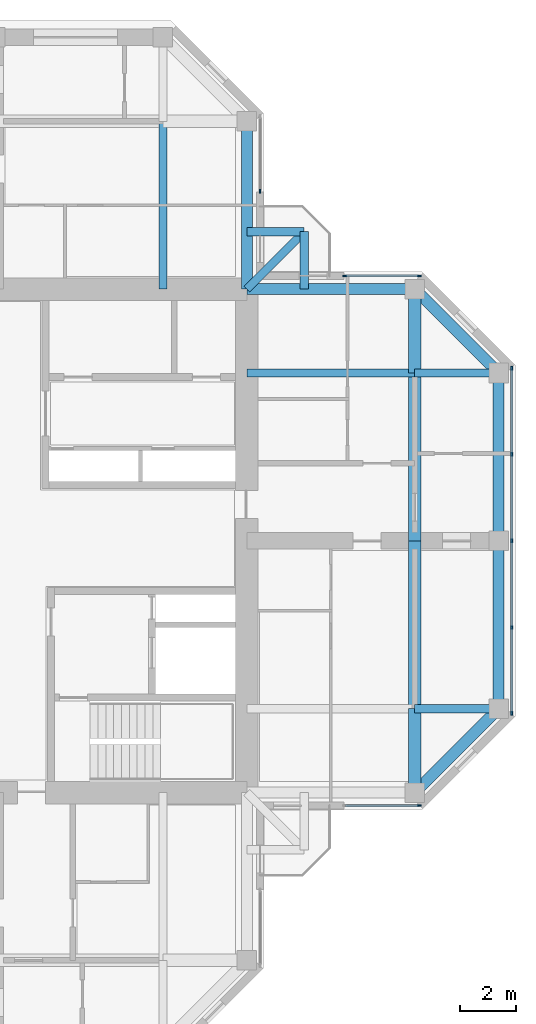
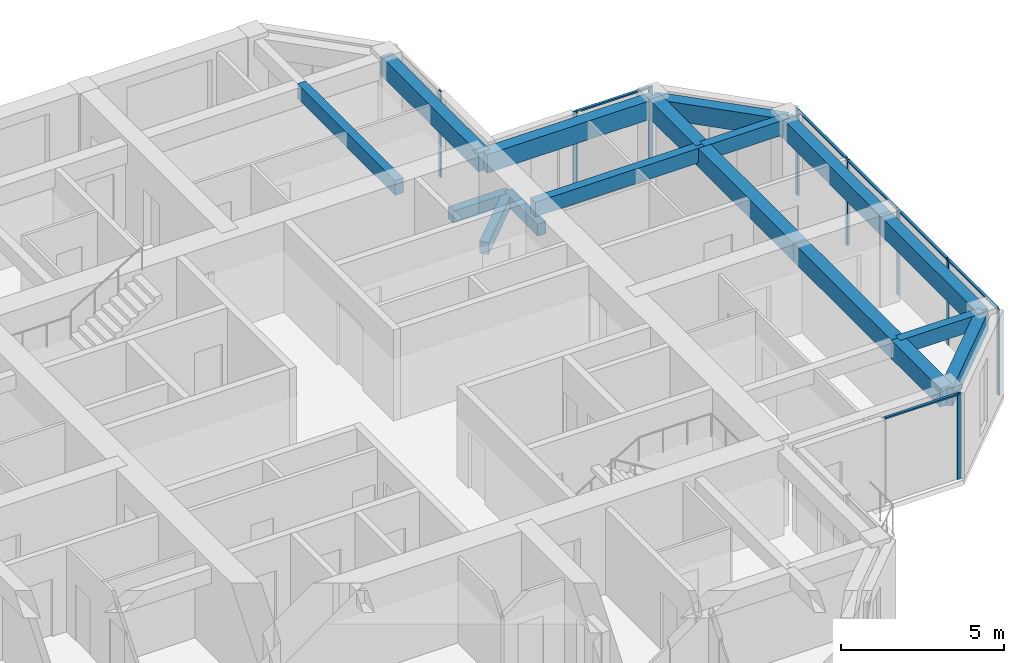
# One storey, part 5 of 13: 17 beams, 15 members, 4 elements without a shape of their own.
"""IFC4 building model written with IfcOpenShell, lengths in metres."""

import ifcopenshell
import ifcopenshell.guid

model = None  # the IFC model being written
_history = None  # IfcOwnerHistory: only IFC2X3 demands one
_inside = {}  # id of a spatial element -> (the spatial element, [elements in it])
_under = {}  # id of a project, library or spatial element -> (it, [spatial elements below it])
_declared = {}  # id of a project -> (the project, [libraries it declares])
_typed = {}  # id of a type object -> (the type object, [elements of that type])
_made_of = {}  # id of a material, layer set ... -> (it, [elements and type objects made of it])


def new_model(schema):
    """Start an empty IFC model of exactly this schema.

    Asked for "IFC4X3", IfcOpenShell would pick the latest addendum, in which some entities
    have other attributes; the version numbers below select the first issue.
    IFC2X3 requires an IfcOwnerHistory on every rooted entity: one is made here for all.
    """
    global model, _history
    if schema == "IFC4X3":
        model = ifcopenshell.file(schema_version=(4, 3, 0, 0))
    else:
        model = ifcopenshell.file(schema=schema)
    _inside.clear()
    _under.clear()
    _declared.clear()
    _typed.clear()
    _made_of.clear()
    _history = None
    if model.schema == "IFC2X3":
        org = make("IfcOrganization", Name="unknown")
        user = make(
            "IfcPersonAndOrganization",
            ThePerson=make("IfcPerson", FamilyName="unknown"),
            TheOrganization=org,
        )
        app = make(
            "IfcApplication",
            ApplicationDeveloper=org,
            Version="unknown",
            ApplicationFullName="unknown",
            ApplicationIdentifier="unknown",
        )
        _history = make(
            "IfcOwnerHistory",
            OwningUser=user,
            OwningApplication=app,
            ChangeAction="ADDED",
            CreationDate=0,
        )
    return model


def make(cls, **values):
    """One entity of the class cls with the attributes given. An attribute that is None is left unset."""
    return model.create_entity(
        cls, **{name: value for name, value in values.items() if value is not None}
    )


def rooted(cls, **values):
    """An entity with a GlobalId (a new one), such as an element, a storey or a relation."""
    return make(cls, GlobalId=ifcopenshell.guid.new(), OwnerHistory=_history, **values)


def si_unit(unit_type, name, prefix=None):
    """IfcSIUnit, for example si_unit("LENGTHUNIT", "METRE", prefix="MILLI")."""
    return make("IfcSIUnit", UnitType=unit_type, Prefix=prefix, Name=name)


def assignment(units):
    """IfcUnitAssignment: the units of a project."""
    return None if units is None else make("IfcUnitAssignment", Units=units)


def point(xyz):
    """IfcCartesianPoint."""
    return None if xyz is None else make("IfcCartesianPoint", Coordinates=xyz)


def direction(xyz):
    """IfcDirection."""
    return None if xyz is None else make("IfcDirection", DirectionRatios=xyz)


def frame(location, z_axis=None, x_axis=None):
    """IfcAxis2Placement3D, a coordinate frame: its origin and axes. An axis left out is left unset."""
    return make(
        "IfcAxis2Placement3D",
        Location=point(location),
        Axis=direction(z_axis),
        RefDirection=direction(x_axis),
    )


def frame_2d(location, x_axis=None):
    """IfcAxis2Placement2D, a coordinate frame in the plane: its origin and x axis."""
    return make(
        "IfcAxis2Placement2D", Location=point(location), RefDirection=direction(x_axis)
    )


def origin():
    """The frame at (0, 0, 0) with its axes left unset."""
    return frame((0.0, 0.0, 0.0))


def origin_2d():
    """The frame at (0, 0) in the plane with its x axis left unset."""
    return frame_2d((0.0, 0.0))


def place(relative_to, where):
    """IfcLocalPlacement: puts the frame where relative to a parent placement (None: the world)."""
    return make(
        "IfcLocalPlacement", PlacementRelTo=relative_to, RelativePlacement=where
    )


def context(
    kind, dimensions, precision=None, world=None, true_north=None, identifier=None
):
    """IfcGeometricRepresentationContext, for example the 3D "Model" context."""
    return make(
        "IfcGeometricRepresentationContext",
        ContextIdentifier=identifier,
        ContextType=kind,
        CoordinateSpaceDimension=dimensions,
        Precision=precision,
        WorldCoordinateSystem=world,
        TrueNorth=true_north,
    )


def subcontext(parent, identifier, kind, view, scale=None):
    """IfcGeometricRepresentationSubContext, for example "Body" below "Model"."""
    return make(
        "IfcGeometricRepresentationSubContext",
        ContextIdentifier=identifier,
        ContextType=kind,
        ParentContext=parent,
        TargetScale=scale,
        TargetView=view,
    )


def project(units=None, contexts=None):
    """IfcProject with its units and contexts."""
    return rooted(
        "IfcProject",
        Name="project",
        RepresentationContexts=contexts,
        UnitsInContext=assignment(units),
    )


def spatial(cls, under=None, at=None, **own):
    """A site, building, storey or space (cls), placed at a placement, below another one or the project."""
    s = rooted(cls, ObjectPlacement=at, **own)
    if under is not None:
        _under.setdefault(under.id(), (under, []))[1].append(s)
    return s


def profile(cls, at=None, kind="AREA", **sizes):
    """A parametric profile (cls). Its sizes go by their IFC names, for example OverallWidth=200.0."""
    return make(cls, ProfileType=kind, Position=at, **sizes)


def rectangle(**sizes):
    """IfcRectangleProfileDef."""
    return profile("IfcRectangleProfileDef", **sizes)


def extrude(swept, where, along, depth):
    """IfcExtrudedAreaSolid: the profile swept, set in the frame where, extruded along a direction by depth."""
    return make(
        "IfcExtrudedAreaSolid",
        SweptArea=swept,
        Position=where,
        ExtrudedDirection=direction(along),
        Depth=depth,
    )


def shape(context_of_items, identifier, shape_type, items):
    """IfcShapeRepresentation: the items that make up one representation, for example the "Body"."""
    return make(
        "IfcShapeRepresentation",
        ContextOfItems=context_of_items,
        RepresentationIdentifier=identifier,
        RepresentationType=shape_type,
        Items=items,
    )


def material(Name=None, Category=None):
    """IfcMaterial."""
    return make("IfcMaterial", Name=Name, Category=Category)


def material_profile(
    of_material, cross_section, Name=None, Category=None, Priority=None
):
    """IfcMaterialProfile: a cross section and its material."""
    return make(
        "IfcMaterialProfile",
        Name=Name,
        Material=of_material,
        Profile=cross_section,
        Priority=Priority,
        Category=Category,
    )


def profile_set(profiles, Name=None, composite=None):
    """IfcMaterialProfileSet."""
    return make(
        "IfcMaterialProfileSet",
        Name=Name,
        MaterialProfiles=profiles,
        CompositeProfile=composite,
    )


def made_of(thing, what):
    """Note that an element or type object is made of a material, layer set ...; save() writes the relation."""
    if what is not None:
        _made_of.setdefault(what.id(), (what, []))[1].append(thing)
    return thing


def type_object(cls, material=None, **own):
    """A type object (cls), such as IfcWallType, which elements share."""
    return made_of(rooted(cls, **own), material)


def element(
    cls,
    number,
    at=None,
    inside=None,
    cuts=None,
    type_object=None,
    material=None,
    context=None,
    identifier="Body",
    shape_type=None,
    held_by="IfcProductDefinitionShape",
    body=None,
    shapes=None,
    **own,
):
    """One element of the class cls, such as IfcWall. Its Tag is "e" and its number.

    at: its placement. inside: the storey or other place that contains it. cuts: it is an
    opening in that element (IfcRelVoidsElement). A single representation is given by context,
    identifier, shape_type and body (its items); several are given by shapes. held_by: the class
    of the entity that holds the representations. save() writes the other relations.
    """
    e = rooted(cls, Tag="e%d" % number, ObjectPlacement=at, **own)
    if body is not None:
        shapes = [shape(context, identifier, shape_type, body)]
    if shapes is not None:
        e.Representation = make(held_by, Representations=shapes)
    if inside is not None:
        _inside.setdefault(inside.id(), (inside, []))[1].append(e)
    if cuts is not None:
        rooted(
            "IfcRelVoidsElement", RelatingBuildingElement=cuts, RelatedOpeningElement=e
        )
    if type_object is not None:
        _typed.setdefault(type_object.id(), (type_object, []))[1].append(e)
    return made_of(e, material)


def aggregate(whole, parts):
    """IfcRelAggregates: a whole, such as a stair, and the parts it consists of."""
    return rooted("IfcRelAggregates", RelatingObject=whole, RelatedObjects=parts)


def save(model, path):
    """Write the relations noted so far, then the file.

    IfcRelAggregates (storeys below a building ...), IfcRelContainedInSpatialStructure (elements
    in a storey), IfcRelDefinesByType, IfcRelAssociatesMaterial and IfcRelDeclares: one each for
    every whole, place, type object, material and project.
    """
    for whole, parts in _under.values():
        aggregate(whole, parts)
    for where, things in _inside.values():
        rooted(
            "IfcRelContainedInSpatialStructure",
            RelatedElements=things,
            RelatingStructure=where,
        )
    for kind, things in _typed.values():
        rooted("IfcRelDefinesByType", RelatedObjects=things, RelatingType=kind)
    for what, things in _made_of.values():
        rooted("IfcRelAssociatesMaterial", RelatedObjects=things, RelatingMaterial=what)
    for by, libraries in _declared.values():
        rooted("IfcRelDeclares", RelatingContext=by, RelatedDefinitions=libraries)
    model.write(path)


model = new_model("IFC4")

# Units and contexts
model_context = context("Model", 3, precision=1e-05, world=origin(), true_north=direction((0.0, 1.0)))
body_context = subcontext(model_context, "Body", "Model", "MODEL_VIEW")
ifc_project = project(units=[si_unit("LENGTHUNIT", "METRE"), si_unit("AREAUNIT", "SQUARE_METRE"), si_unit("VOLUMEUNIT", "CUBIC_METRE"), si_unit("PLANEANGLEUNIT", "RADIAN"), si_unit("MASSUNIT", "GRAM", prefix="KILO")], contexts=[model_context])

# Site, building, storey
site_placement = place(None, origin())
site = spatial("IfcSite", under=ifc_project, at=site_placement, CompositionType="ELEMENT")
building_placement = place(site_placement, origin())
building = spatial("IfcBuilding", under=site, at=building_placement, Name="Torre Cruceta", CompositionType="ELEMENT")
storey_placement = place(building_placement, frame((0.0, 0.0, 281.5)))
storey = spatial("IfcBuildingStorey", under=building, at=storey_placement, Name="L73", CompositionType="ELEMENT", Elevation=281.5)

# Beams
ifc_material_1 = material(Name="Concrete G60 (fck 60 MPa)", Category="concrete")
ifc_material_profile_1 = material_profile(ifc_material_1, rectangle(XDim=0.300048828125, YDim=0.449951171875, at=origin_2d()), Name="RC 300X450")
ifc_profile_set_1 = profile_set([ifc_material_profile_1], Name="Concrete G60 (fck 60 MPa)")
beam_type_1 = type_object("IfcBeamType", Name="BALCONY CANTILEVER BEAM RC 300X450", PredefinedType="BEAM", material=ifc_profile_set_1)
beam_1_placement = place(storey_placement, frame((9.0, 9.0, -0.405029296875), z_axis=(0.707106781187, 0.707106781187, 0.0), x_axis=(-0.707106781187, 0.707106781187, 0.0)))
element("IfcBeam", 1, at=beam_1_placement, inside=storey, type_object=beam_type_1, Name="BB1 balcony beam L73 E", PredefinedType="BEAM", context=body_context, shape_type="SweptSolid", body=[
    extrude(rectangle(XDim=0.300048828125, YDim=0.449951171875, at=origin_2d()), origin(), (0.0, 0.0, 1.0), 2.89990234375),
])
for number, where, z_axis, x_axis, name in (
    (2, (11.050537109375, 9.0, -0.405029296875), (0.0, 1.0, 0.0), (-1.0, 0.0, 0.0), "BB1 balcony edge beam L73 E-X"),
    (3, (9.0, 11.050537109375, -0.405029296875), (1.0, 0.0, 0.0), (0.0, 1.0, 0.0), "BB1 balcony edge beam L73 E-Y"),
):
    element("IfcBeam", number, at=place(storey_placement, frame(where, z_axis=z_axis, x_axis=x_axis)), inside=storey, type_object=beam_type_1, Name=name, PredefinedType="BEAM", context=body_context, shape_type="SweptSolid", body=[
        extrude(rectangle(XDim=0.300048828125, YDim=0.449951171875, at=origin_2d()), origin(), (0.0, 0.0, 1.0), 2.050537109375),
    ])
ifc_material_2 = material(Name="Concrete G60 (fck 60 MPa)", Category="concrete")
ifc_material_profile_2 = material_profile(ifc_material_2, rectangle(XDim=0.300048828125, YDim=0.550048828125, at=origin_2d()), Name="RC 300X550")
ifc_profile_set_2 = profile_set([ifc_material_profile_2], Name="Concrete G60 (fck 60 MPa)")
beam_type_2 = type_object("IfcBeamType", Name="COLUMN LINE BEAM RC 300X550", PredefinedType="BEAM", material=ifc_profile_set_2)
beam_2_placement = place(storey_placement, frame((6.0, 9.0, 2.945068359375), z_axis=(0.0, 1.0, 0.0), x_axis=(-1.0, 0.0, 0.0)))
element("IfcBeam", 4, at=beam_2_placement, inside=storey, type_object=beam_type_2, Name="LB10 L73 N col- 1", PredefinedType="BEAM", context=body_context, shape_type="SweptSolid", body=[
    extrude(rectangle(XDim=0.300048828125, YDim=0.550048828125, at=origin_2d()), origin(), (0.0, 0.0, 1.0), 6.0),
])
beam_3_placement = place(storey_placement, frame((15.0, -6.0, 2.945068359375), z_axis=(1.0, 0.0, 0.0), x_axis=(0.0, 1.0, 0.0)))
element("IfcBeam", 5, at=beam_3_placement, inside=storey, type_object=beam_type_2, Name="LB10 L73 E col- 2", PredefinedType="BEAM", context=body_context, shape_type="SweptSolid", body=[
    extrude(rectangle(XDim=0.300048828125, YDim=0.550048828125, at=origin_2d()), origin(), (0.0, 0.0, 1.0), 3.0),
])
beam_4_placement = place(storey_placement, frame((9.0, 6.0, 2.945068359375), z_axis=(1.0, 0.0, 0.0), x_axis=(0.0, 1.0, 0.0)))
element("IfcBeam", 6, at=beam_4_placement, inside=storey, type_object=beam_type_2, Name="LB10 L73 E col+ 1", PredefinedType="BEAM", context=body_context, shape_type="SweptSolid", body=[
    extrude(rectangle(XDim=0.300048828125, YDim=0.550048828125, at=origin_2d()), origin(), (0.0, 0.0, 1.0), 6.0),
])
beam_5_placement = place(storey_placement, frame((15.0, 6.0, 2.945068359375), z_axis=(1.0, 0.0, 0.0), x_axis=(0.0, 1.0, 0.0)))
element("IfcBeam", 7, at=beam_5_placement, inside=storey, type_object=beam_type_2, Name="LB10 L73 E col+ 2", PredefinedType="BEAM", context=body_context, shape_type="SweptSolid", body=[
    extrude(rectangle(XDim=0.300048828125, YDim=0.550048828125, at=origin_2d()), origin(), (0.0, 0.0, 1.0), 3.0),
])
ifc_material_3 = material(Name="Concrete G60 (fck 60 MPa)", Category="concrete")
ifc_material_profile_3 = material_profile(ifc_material_3, rectangle(XDim=0.449951171875, YDim=0.699951171875, at=origin_2d()), Name="RC 450X700")
ifc_profile_set_3 = profile_set([ifc_material_profile_3], Name="Concrete G60 (fck 60 MPa)")
beam_type_3 = type_object("IfcBeamType", Name="CROSS BEAM RC 450X700", PredefinedType="BEAM", material=ifc_profile_set_3)
beam_6_placement = place(storey_placement, frame((15.0, -9.0, 2.8701171875), z_axis=(0.0, 1.0, 0.0), x_axis=(-1.0, 0.0, 0.0)))
element("IfcBeam", 8, at=beam_6_placement, inside=storey, type_object=beam_type_3, Name="GB8 L73 E cross15 1", PredefinedType="BEAM", context=body_context, shape_type="SweptSolid", body=[
    extrude(rectangle(XDim=0.449951171875, YDim=0.699951171875, at=origin_2d()), origin(), (0.0, 0.0, 1.0), 3.0),
])
for number, where, z_axis, x_axis, name in (
    (9, (15.0, -6.0, 2.8701171875), (0.0, 1.0, 0.0), (-1.0, 0.0, 0.0), "GB8 L73 E cross15 2"),
    (10, (15.0, 0.0, 2.8701171875), (0.0, 1.0, 0.0), (-1.0, 0.0, 0.0), "GB8 L73 E cross15 3"),
):
    element("IfcBeam", number, at=place(storey_placement, frame(where, z_axis=z_axis, x_axis=x_axis)), inside=storey, type_object=beam_type_3, Name=name, PredefinedType="BEAM", context=body_context, shape_type="SweptSolid", body=[
        extrude(rectangle(XDim=0.449951171875, YDim=0.699951171875, at=origin_2d()), origin(), (0.0, 0.0, 1.0), 6.0),
    ])
beam_7_placement = place(storey_placement, frame((15.0, 6.0, 2.8701171875), z_axis=(0.0, 1.0, 0.0), x_axis=(-1.0, 0.0, 0.0)))
element("IfcBeam", 11, at=beam_7_placement, inside=storey, type_object=beam_type_3, Name="GB8 L73 E cross15 4", PredefinedType="BEAM", context=body_context, shape_type="SweptSolid", body=[
    extrude(rectangle(XDim=0.449951171875, YDim=0.699951171875, at=origin_2d()), origin(), (0.0, 0.0, 1.0), 3.0),
])

# Curtain wall, member
ifc_material_4 = material(Name="Aluminium unitised curtain wall", Category="aluminium")
curtain_wall_type = type_object("IfcCurtainWallType", Name="CURTAIN WALL CW-E CO-LIVING TOP", PredefinedType="USERDEFINED", material=ifc_material_4)
curtain_wall_1_placement = place(storey_placement, origin())
curtain_wall_1 = element("IfcCurtainWall", 12, at=curtain_wall_1_placement, inside=storey, type_object=curtain_wall_type, Name="CW-E L73 E side 00", ObjectType="UNITISED", PredefinedType="USERDEFINED")
ifc_material_5 = material(Name="Aluminium mullion", Category="aluminium")
ifc_material_profile_4 = material_profile(ifc_material_5, rectangle(XDim=0.054931640625, YDim=0.139892578125, at=origin_2d()), Name="AL 55X140")
ifc_profile_set_4 = profile_set([ifc_material_profile_4], Name="Aluminium mullion")
member_type_1 = type_object("IfcMemberType", Name="CW-E MULLION 55X140", PredefinedType="MULLION", material=ifc_profile_set_4)
member_1_placement = place(storey_placement, frame((15.167236328125, -9.469970703125, 0.0), z_axis=(0.0, 0.0, 1.0), x_axis=(0.0, 1.0, 0.0)))
member_1 = element("IfcMember", 13, at=member_1_placement, type_object=member_type_1, Name="CW-E mullion 2", PredefinedType="MULLION", context=body_context, shape_type="SweptSolid", body=[
    extrude(rectangle(XDim=0.054931640625, YDim=0.139892578125, at=origin_2d()), origin(), (0.0, 0.0, 1.0), 3.219970703125),
])

# Curtain wall, members
curtain_wall_2_placement = place(storey_placement, origin())
curtain_wall_2 = element("IfcCurtainWall", 14, at=curtain_wall_2_placement, inside=storey, type_object=curtain_wall_type, Name="CW-E L73 E tip 02", ObjectType="UNITISED", PredefinedType="USERDEFINED")
member_2_placement = place(storey_placement, frame((18.469970703125, -6.167236328125, 0.0), z_axis=(0.0, 0.0, 1.0), x_axis=(-1.0, 0.0, 0.0)))
member_2 = element("IfcMember", 15, at=member_2_placement, type_object=member_type_1, Name="CW-E mullion 1", PredefinedType="MULLION", context=body_context, shape_type="SweptSolid", body=[
    extrude(rectangle(XDim=0.054931640625, YDim=0.139892578125, at=origin_2d()), origin(), (0.0, 0.0, 1.0), 3.219970703125),
])
member_3_placement = place(storey_placement, frame((18.469970703125, -3.097412109375, 0.0), z_axis=(0.0, 0.0, 1.0), x_axis=(-1.0, 0.0, 0.0)))
member_3 = element("IfcMember", 16, at=member_3_placement, type_object=member_type_1, Name="CW-E mullion 2", PredefinedType="MULLION", context=body_context, shape_type="SweptSolid", body=[
    extrude(rectangle(XDim=0.054931640625, YDim=0.139892578125, at=origin_2d()), origin(), (0.0, 0.0, 1.0), 3.219970703125),
])
member_4_placement = place(storey_placement, frame((18.469970703125, 0.0, 0.0), z_axis=(0.0, 0.0, 1.0), x_axis=(-1.0, 0.0, 0.0)))
member_4 = element("IfcMember", 17, at=member_4_placement, type_object=member_type_1, Name="CW-E mullion 3", PredefinedType="MULLION", context=body_context, shape_type="SweptSolid", body=[
    extrude(rectangle(XDim=0.054931640625, YDim=0.139892578125, at=origin_2d()), origin(), (0.0, 0.0, 1.0), 3.219970703125),
])
member_5_placement = place(storey_placement, frame((18.469970703125, 3.097412109375, 0.0), z_axis=(0.0, 0.0, 1.0), x_axis=(-1.0, 0.0, 0.0)))
member_5 = element("IfcMember", 18, at=member_5_placement, type_object=member_type_1, Name="CW-E mullion 4", PredefinedType="MULLION", context=body_context, shape_type="SweptSolid", body=[
    extrude(rectangle(XDim=0.054931640625, YDim=0.139892578125, at=origin_2d()), origin(), (0.0, 0.0, 1.0), 3.219970703125),
])
member_6_placement = place(storey_placement, frame((18.469970703125, 6.167236328125, 0.0), z_axis=(0.0, 0.0, 1.0), x_axis=(-1.0, 0.0, 0.0)))
member_6 = element("IfcMember", 19, at=member_6_placement, type_object=member_type_1, Name="CW-E mullion 5", PredefinedType="MULLION", context=body_context, shape_type="SweptSolid", body=[
    extrude(rectangle(XDim=0.054931640625, YDim=0.139892578125, at=origin_2d()), origin(), (0.0, 0.0, 1.0), 3.219970703125),
])

curtain_wall_3_placement = place(storey_placement, origin())
curtain_wall_3 = element("IfcCurtainWall", 20, at=curtain_wall_3_placement, inside=storey, type_object=curtain_wall_type, Name="CW-E L73 E side 04", ObjectType="UNITISED", PredefinedType="USERDEFINED")
member_7_placement = place(storey_placement, frame((15.167236328125, 9.469970703125, 0.0), z_axis=(0.0, 0.0, 1.0), x_axis=(0.0, -1.0, 0.0)))
member_7 = element("IfcMember", 21, at=member_7_placement, type_object=member_type_1, Name="CW-E mullion 1", PredefinedType="MULLION", context=body_context, shape_type="SweptSolid", body=[
    extrude(rectangle(XDim=0.054931640625, YDim=0.139892578125, at=origin_2d()), origin(), (0.0, 0.0, 1.0), 3.219970703125),
])
member_8_placement = place(storey_placement, frame((12.49755859375, 9.469970703125, 0.0), z_axis=(0.0, 0.0, 1.0), x_axis=(0.0, -1.0, 0.0)))
member_8 = element("IfcMember", 22, at=member_8_placement, type_object=member_type_1, Name="CW-E mullion 2", PredefinedType="MULLION", context=body_context, shape_type="SweptSolid", body=[
    extrude(rectangle(XDim=0.054931640625, YDim=0.139892578125, at=origin_2d()), origin(), (0.0, 0.0, 1.0), 3.219970703125),
])

# Curtain wall, member
curtain_wall_4_placement = place(storey_placement, origin())
curtain_wall_4 = element("IfcCurtainWall", 23, at=curtain_wall_4_placement, inside=storey, type_object=curtain_wall_type, Name="CW-E L73 N side 05", ObjectType="UNITISED", PredefinedType="USERDEFINED")
member_9_placement = place(storey_placement, frame((9.469970703125, 12.49755859375, 0.0), z_axis=(0.0, 0.0, 1.0), x_axis=(-1.0, 0.0, 0.0)))
member_9 = element("IfcMember", 24, at=member_9_placement, type_object=member_type_1, Name="CW-E mullion 1", PredefinedType="MULLION", context=body_context, shape_type="SweptSolid", body=[
    extrude(rectangle(XDim=0.054931640625, YDim=0.139892578125, at=origin_2d()), origin(), (0.0, 0.0, 1.0), 3.219970703125),
])
aggregate(curtain_wall_4, [member_9])

# Member
ifc_material_6 = material(Name="Aluminium transom", Category="aluminium")
ifc_material_profile_5 = material_profile(ifc_material_6, rectangle(XDim=0.090087890625, YDim=0.054931640625, at=origin_2d()), Name="AL 90X55")
ifc_profile_set_5 = profile_set([ifc_material_profile_5], Name="Aluminium transom")
member_type_2 = type_object("IfcMemberType", Name="CW-E TRANSOM 55X90", PredefinedType="USERDEFINED", material=ifc_profile_set_5)
member_10_placement = place(storey_placement, frame((12.52490234375, -9.469970703125, 3.1923828125), z_axis=(1.0, 0.0, 0.0), x_axis=(0.0, 1.0, 0.0)))
member_10 = element("IfcMember", 25, at=member_10_placement, type_object=member_type_2, Name="CW-E transom 1", ObjectType="TRANSOM", PredefinedType="USERDEFINED", context=body_context, shape_type="SweptSolid", body=[
    extrude(rectangle(XDim=0.090087890625, YDim=0.054931640625, at=origin_2d()), origin(), (0.0, 0.0, 1.0), 2.61474609375),
])

aggregate(curtain_wall_1, [member_1, member_10])

member_11_placement = place(storey_placement, frame((18.469970703125, -6.1396484375, 3.1923828125), z_axis=(0.0, 1.0, 0.0), x_axis=(-1.0, 0.0, 0.0)))
member_11 = element("IfcMember", 26, at=member_11_placement, type_object=member_type_2, Name="CW-E transom 1", ObjectType="TRANSOM", PredefinedType="USERDEFINED", context=body_context, shape_type="SweptSolid", body=[
    extrude(rectangle(XDim=0.090087890625, YDim=0.054931640625, at=origin_2d()), origin(), (0.0, 0.0, 1.0), 3.014892578125),
])

member_12_placement = place(storey_placement, frame((18.469970703125, -3.06982421875, 3.1923828125), z_axis=(0.0, 1.0, 0.0), x_axis=(-1.0, 0.0, 0.0)))
member_12 = element("IfcMember", 27, at=member_12_placement, type_object=member_type_2, Name="CW-E transom 2", ObjectType="TRANSOM", PredefinedType="USERDEFINED", context=body_context, shape_type="SweptSolid", body=[
    extrude(rectangle(XDim=0.090087890625, YDim=0.054931640625, at=origin_2d()), origin(), (0.0, 0.0, 1.0), 3.042236328125),
])

member_13_placement = place(storey_placement, frame((18.469970703125, 0.027587890625, 3.1923828125), z_axis=(0.0, 1.0, 0.0), x_axis=(-1.0, 0.0, 0.0)))
member_13 = element("IfcMember", 28, at=member_13_placement, type_object=member_type_2, Name="CW-E transom 3", ObjectType="TRANSOM", PredefinedType="USERDEFINED", context=body_context, shape_type="SweptSolid", body=[
    extrude(rectangle(XDim=0.090087890625, YDim=0.054931640625, at=origin_2d()), origin(), (0.0, 0.0, 1.0), 3.042236328125),
])

member_14_placement = place(storey_placement, frame((18.469970703125, 3.124755859375, 3.1923828125), z_axis=(0.0, 1.0, 0.0), x_axis=(-1.0, 0.0, 0.0)))
member_14 = element("IfcMember", 29, at=member_14_placement, type_object=member_type_2, Name="CW-E transom 4", ObjectType="TRANSOM", PredefinedType="USERDEFINED", context=body_context, shape_type="SweptSolid", body=[
    extrude(rectangle(XDim=0.090087890625, YDim=0.054931640625, at=origin_2d()), origin(), (0.0, 0.0, 1.0), 3.014892578125),
])

aggregate(curtain_wall_2, [member_2, member_3, member_4, member_5, member_6, member_11, member_12, member_13, member_14])

member_15_placement = place(storey_placement, frame((15.1396484375, 9.469970703125, 3.1923828125), z_axis=(-1.0, 0.0, 0.0), x_axis=(0.0, -1.0, 0.0)))
member_15 = element("IfcMember", 30, at=member_15_placement, type_object=member_type_2, Name="CW-E transom 1", ObjectType="TRANSOM", PredefinedType="USERDEFINED", context=body_context, shape_type="SweptSolid", body=[
    extrude(rectangle(XDim=0.090087890625, YDim=0.054931640625, at=origin_2d()), origin(), (0.0, 0.0, 1.0), 2.61474609375),
])

aggregate(curtain_wall_3, [member_7, member_8, member_15])

# Beams
ifc_material_7 = material(Name="Concrete G60 (fck 60 MPa)", Category="concrete")
ifc_material_profile_6 = material_profile(ifc_material_7, rectangle(XDim=0.39990234375, YDim=0.699951171875, at=origin_2d()), Name="RC 400X700")
ifc_profile_set_6 = profile_set([ifc_material_profile_6], Name="Concrete G60 (fck 60 MPa)")
beam_type_4 = type_object("IfcBeamType", Name="SPANDREL BEAM RC 400X700", PredefinedType="SPANDREL", material=ifc_profile_set_6)
beam_8_placement = place(storey_placement, frame((9.0, 9.0, 2.8701171875), z_axis=(0.0, 1.0, 0.0), x_axis=(-1.0, 0.0, 0.0)))
element("IfcBeam", 31, at=beam_8_placement, inside=storey, type_object=beam_type_4, Name="SB8 L73 N side- 1", PredefinedType="SPANDREL", context=body_context, shape_type="SweptSolid", body=[
    extrude(rectangle(XDim=0.39990234375, YDim=0.699951171875, at=origin_2d()), origin(), (0.0, 0.0, 1.0), 6.0),
])
beam_9_placement = place(storey_placement, frame((15.0, -9.0, 2.8701171875), z_axis=(0.707106781187, 0.707106781187, 0.0), x_axis=(-0.707106781187, 0.707106781187, 0.0)))
element("IfcBeam", 32, at=beam_9_placement, inside=storey, type_object=beam_type_4, Name="SB8 L73 E side- 2", PredefinedType="SPANDREL", context=body_context, shape_type="SweptSolid", body=[
    extrude(rectangle(XDim=0.39990234375, YDim=0.699951171875, at=origin_2d()), origin(), (0.0, 0.0, 1.0), 4.24267578125),
])
beam_10_placement = place(storey_placement, frame((9.0, 9.0, 2.8701171875), z_axis=(1.0, 0.0, 0.0), x_axis=(0.0, 1.0, 0.0)))
element("IfcBeam", 33, at=beam_10_placement, inside=storey, type_object=beam_type_4, Name="SB8 L73 E side+ 1", PredefinedType="SPANDREL", context=body_context, shape_type="SweptSolid", body=[
    extrude(rectangle(XDim=0.39990234375, YDim=0.699951171875, at=origin_2d()), origin(), (0.0, 0.0, 1.0), 6.0),
])
beam_11_placement = place(storey_placement, frame((15.0, 9.0, 2.8701171875), z_axis=(0.707106781187, -0.707106781187, 0.0), x_axis=(0.707106781187, 0.707106781187, 0.0)))
element("IfcBeam", 34, at=beam_11_placement, inside=storey, type_object=beam_type_4, Name="SB8 L73 E side+ 2", PredefinedType="SPANDREL", context=body_context, shape_type="SweptSolid", body=[
    extrude(rectangle(XDim=0.39990234375, YDim=0.699951171875, at=origin_2d()), origin(), (0.0, 0.0, 1.0), 4.24267578125),
])
for number, where, z_axis, x_axis, name in (
    (35, (18.0, -6.0, 2.8701171875), (0.0, 1.0, 0.0), (-1.0, 0.0, 0.0), "SB8 L73 E tip 1"),
    (36, (18.0, 0.0, 2.8701171875), (0.0, 1.0, 0.0), (-1.0, 0.0, 0.0), "SB8 L73 E tip 2"),
):
    element("IfcBeam", number, at=place(storey_placement, frame(where, z_axis=z_axis, x_axis=x_axis)), inside=storey, type_object=beam_type_4, Name=name, PredefinedType="SPANDREL", context=body_context, shape_type="SweptSolid", body=[
        extrude(rectangle(XDim=0.39990234375, YDim=0.699951171875, at=origin_2d()), origin(), (0.0, 0.0, 1.0), 6.0),
    ])

save(model, "model.ifc")
